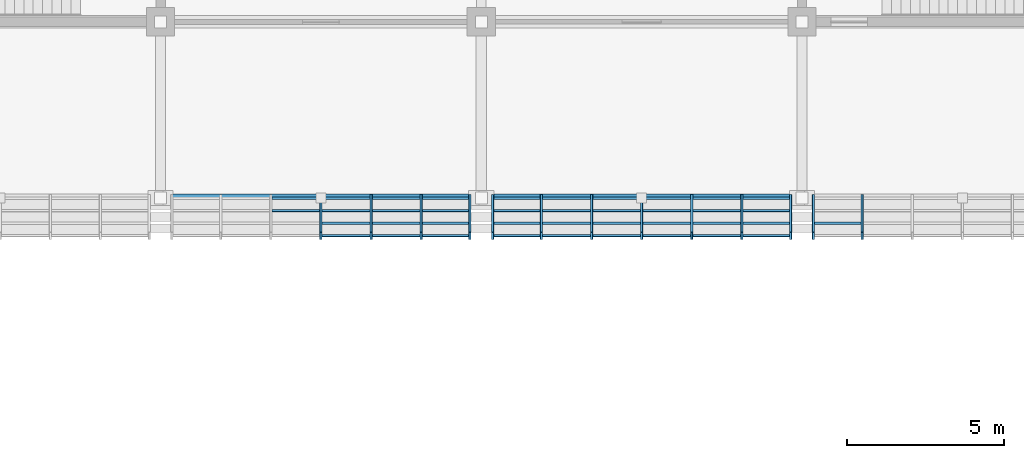
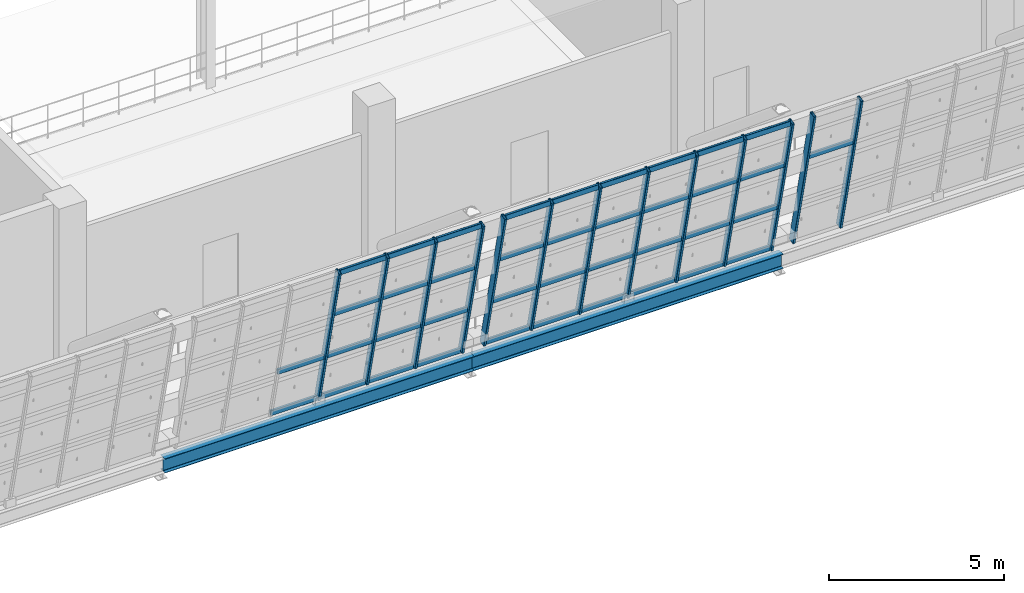
# One storey, part 28 of 175: 52 members, 2 beams, 3 elements without a shape of their own.
"""IFC4 building model written with IfcOpenShell, lengths in metres."""

from ifc_helpers import new_model, si_unit, direction, frame, origin, origin_2d, place, context, subcontext, project, spatial, hollow_rectangle, i_section, extrude, material, material_profile, profile_set, type_object, element, aggregate, save


model = new_model("IFC4")

# Units and contexts
model_context = context("Model", 3, precision=1e-05, world=origin(), true_north=direction((0.0, 1.0)))
body_context = subcontext(model_context, "Body", "Model", "MODEL_VIEW")
ifc_project = project(units=[si_unit("LENGTHUNIT", "METRE"), si_unit("AREAUNIT", "SQUARE_METRE"), si_unit("VOLUMEUNIT", "CUBIC_METRE"), si_unit("PLANEANGLEUNIT", "RADIAN"), si_unit("MASSUNIT", "GRAM", prefix="KILO")], contexts=[model_context])

# Site, building, storey
site_placement = place(None, origin())
site = spatial("IfcSite", under=ifc_project, at=site_placement, CompositionType="ELEMENT")
building_placement = place(site_placement, origin())
building = spatial("IfcBuilding", under=site, at=building_placement, Name="Brelvane Convention Centre", CompositionType="ELEMENT")
storey_placement = place(building_placement, frame((0.0, 0.0, 5.39990234375)))
storey = spatial("IfcBuildingStorey", under=building, at=storey_placement, Name="L01", CompositionType="ELEMENT", Elevation=5.39990234375)

# Curtain wall, members
ifc_material_1 = material(Name="Anodised Aluminium Alloy 6063-T6", Category="aluminium")
curtain_wall_type = type_object("IfcCurtainWallType", Name="Curtain Wall CW-HULL-S", PredefinedType="USERDEFINED", material=ifc_material_1)
curtain_wall_1_placement = place(storey_placement, origin())
curtain_wall_1 = element("IfcCurtainWall", 1, at=curtain_wall_1_placement, inside=storey, type_object=curtain_wall_type, Name="Curtain Wall CW-HULL-S L01-HULL-S-L01-07", ObjectType="UNITISED", PredefinedType="USERDEFINED")
ifc_material_2 = material(Name="Anodised Aluminium Alloy 6063-T6", Category="aluminium")
ifc_material_profile_1 = material_profile(ifc_material_2, hollow_rectangle(XDim=0.080078125, YDim=0.239990234375, WallThickness=0.006103515625, InnerFilletRadius=0.006103515625, OuterFilletRadius=0.011962890625, at=origin_2d()), Name="ALU-M 240x80x6.0")
ifc_profile_set_1 = profile_set([ifc_material_profile_1], Name="Anodised Aluminium Alloy 6063-T6")
member_type_1 = type_object("IfcMemberType", Name="Curtain Mullion CW-M1", PredefinedType="MULLION", material=ifc_profile_set_1)
member_1_placement = place(storey_placement, frame((66.300048828125, 13.60009765625, 0.0), z_axis=(0.0, -0.228360162456, 0.973576723326), x_axis=(1.0, 0.0, 0.0)))
member_1 = element("IfcMember", 2, at=member_1_placement, type_object=member_type_1, Name="CW-HULL-S mullion 4", PredefinedType="MULLION", context=body_context, shape_type="SweptSolid", body=[
    extrude(hollow_rectangle(XDim=0.080078125, YDim=0.239990234375, WallThickness=0.006103515625, InnerFilletRadius=0.006103515625, OuterFilletRadius=0.011962890625, at=origin_2d()), origin(), (0.0, 0.0, 1.0), 5.2900390625),
])
member_2_placement = place(storey_placement, frame((67.893310546875, 13.60009765625, 0.0), z_axis=(0.0, -0.228360162456, 0.973576723326), x_axis=(1.0, 0.0, 0.0)))
member_2 = element("IfcMember", 3, at=member_2_placement, type_object=member_type_1, Name="CW-HULL-S mullion 5", PredefinedType="MULLION", context=body_context, shape_type="SweptSolid", body=[
    extrude(hollow_rectangle(XDim=0.080078125, YDim=0.239990234375, WallThickness=0.006103515625, InnerFilletRadius=0.006103515625, OuterFilletRadius=0.011962890625, at=origin_2d()), origin(), (0.0, 0.0, 1.0), 5.2900390625),
])
member_3_placement = place(storey_placement, frame((69.486572265625, 13.60009765625, 0.0), z_axis=(0.0, -0.228360162456, 0.973576723326), x_axis=(1.0, 0.0, 0.0)))
member_3 = element("IfcMember", 4, at=member_3_placement, type_object=member_type_1, Name="CW-HULL-S mullion 6", PredefinedType="MULLION", context=body_context, shape_type="SweptSolid", body=[
    extrude(hollow_rectangle(XDim=0.080078125, YDim=0.239990234375, WallThickness=0.006103515625, InnerFilletRadius=0.006103515625, OuterFilletRadius=0.011962890625, at=origin_2d()), origin(), (0.0, 0.0, 1.0), 5.2900390625),
])
member_4_placement = place(storey_placement, frame((71.0400390625, 13.60009765625, 0.0), z_axis=(0.0, -0.228360162456, 0.973576723326), x_axis=(1.0, 0.0, 0.0)))
member_4 = element("IfcMember", 5, at=member_4_placement, type_object=member_type_1, Name="CW-HULL-S mullion 7", PredefinedType="MULLION", context=body_context, shape_type="SweptSolid", body=[
    extrude(hollow_rectangle(XDim=0.080078125, YDim=0.239990234375, WallThickness=0.006103515625, InnerFilletRadius=0.006103515625, OuterFilletRadius=0.011962890625, at=origin_2d()), origin(), (0.0, 0.0, 1.0), 5.2900390625),
])

curtain_wall_2_placement = place(storey_placement, origin())
curtain_wall_2 = element("IfcCurtainWall", 6, at=curtain_wall_2_placement, inside=storey, type_object=curtain_wall_type, Name="Curtain Wall CW-HULL-S L01-HULL-S-L01-08", ObjectType="UNITISED", PredefinedType="USERDEFINED")
member_5_placement = place(storey_placement, frame((71.760009765625, 13.60009765625, 0.0), z_axis=(0.0, -0.228360162456, 0.973576723326), x_axis=(1.0, 0.0, 0.0)))
member_5 = element("IfcMember", 7, at=member_5_placement, type_object=member_type_1, Name="CW-HULL-S mullion 1", PredefinedType="MULLION", context=body_context, shape_type="SweptSolid", body=[
    extrude(hollow_rectangle(XDim=0.080078125, YDim=0.239990234375, WallThickness=0.006103515625, InnerFilletRadius=0.006103515625, OuterFilletRadius=0.011962890625, at=origin_2d()), origin(), (0.0, 0.0, 1.0), 5.2900390625),
])
member_6_placement = place(storey_placement, frame((73.313232421875, 13.60009765625, 0.0), z_axis=(0.0, -0.228360162456, 0.973576723326), x_axis=(1.0, 0.0, 0.0)))
member_6 = element("IfcMember", 8, at=member_6_placement, type_object=member_type_1, Name="CW-HULL-S mullion 2", PredefinedType="MULLION", context=body_context, shape_type="SweptSolid", body=[
    extrude(hollow_rectangle(XDim=0.080078125, YDim=0.239990234375, WallThickness=0.006103515625, InnerFilletRadius=0.006103515625, OuterFilletRadius=0.011962890625, at=origin_2d()), origin(), (0.0, 0.0, 1.0), 5.2900390625),
])
member_7_placement = place(storey_placement, frame((74.90673828125, 13.60009765625, 0.0), z_axis=(0.0, -0.228360162456, 0.973576723326), x_axis=(1.0, 0.0, 0.0)))
member_7 = element("IfcMember", 9, at=member_7_placement, type_object=member_type_1, Name="CW-HULL-S mullion 3", PredefinedType="MULLION", context=body_context, shape_type="SweptSolid", body=[
    extrude(hollow_rectangle(XDim=0.080078125, YDim=0.239990234375, WallThickness=0.006103515625, InnerFilletRadius=0.006103515625, OuterFilletRadius=0.011962890625, at=origin_2d()), origin(), (0.0, 0.0, 1.0), 5.2900390625),
])
member_8_placement = place(storey_placement, frame((76.5, 13.60009765625, 0.0), z_axis=(0.0, -0.228360162456, 0.973576723326), x_axis=(1.0, 0.0, 0.0)))
member_8 = element("IfcMember", 10, at=member_8_placement, type_object=member_type_1, Name="CW-HULL-S mullion 4", PredefinedType="MULLION", context=body_context, shape_type="SweptSolid", body=[
    extrude(hollow_rectangle(XDim=0.080078125, YDim=0.239990234375, WallThickness=0.006103515625, InnerFilletRadius=0.006103515625, OuterFilletRadius=0.011962890625, at=origin_2d()), origin(), (0.0, 0.0, 1.0), 5.2900390625),
])
member_9_placement = place(storey_placement, frame((78.09326171875, 13.60009765625, 0.0), z_axis=(0.0, -0.228360162456, 0.973576723326), x_axis=(1.0, 0.0, 0.0)))
member_9 = element("IfcMember", 11, at=member_9_placement, type_object=member_type_1, Name="CW-HULL-S mullion 5", PredefinedType="MULLION", context=body_context, shape_type="SweptSolid", body=[
    extrude(hollow_rectangle(XDim=0.080078125, YDim=0.239990234375, WallThickness=0.006103515625, InnerFilletRadius=0.006103515625, OuterFilletRadius=0.011962890625, at=origin_2d()), origin(), (0.0, 0.0, 1.0), 5.2900390625),
])
member_10_placement = place(storey_placement, frame((79.686767578125, 13.60009765625, 0.0), z_axis=(0.0, -0.228360162456, 0.973576723326), x_axis=(1.0, 0.0, 0.0)))
member_10 = element("IfcMember", 12, at=member_10_placement, type_object=member_type_1, Name="CW-HULL-S mullion 6", PredefinedType="MULLION", context=body_context, shape_type="SweptSolid", body=[
    extrude(hollow_rectangle(XDim=0.080078125, YDim=0.239990234375, WallThickness=0.006103515625, InnerFilletRadius=0.006103515625, OuterFilletRadius=0.011962890625, at=origin_2d()), origin(), (0.0, 0.0, 1.0), 5.2900390625),
])
member_11_placement = place(storey_placement, frame((81.239990234375, 13.60009765625, 0.0), z_axis=(0.0, -0.228360162456, 0.973576723326), x_axis=(1.0, 0.0, 0.0)))
member_11 = element("IfcMember", 13, at=member_11_placement, type_object=member_type_1, Name="CW-HULL-S mullion 7", PredefinedType="MULLION", context=body_context, shape_type="SweptSolid", body=[
    extrude(hollow_rectangle(XDim=0.080078125, YDim=0.239990234375, WallThickness=0.006103515625, InnerFilletRadius=0.006103515625, OuterFilletRadius=0.011962890625, at=origin_2d()), origin(), (0.0, 0.0, 1.0), 5.2900390625),
])

curtain_wall_3_placement = place(storey_placement, origin())
curtain_wall_3 = element("IfcCurtainWall", 14, at=curtain_wall_3_placement, inside=storey, type_object=curtain_wall_type, Name="Curtain Wall CW-HULL-S L01-HULL-S-L01-09", ObjectType="UNITISED", PredefinedType="USERDEFINED")
member_12_placement = place(storey_placement, frame((81.9599609375, 13.60009765625, 0.0), z_axis=(0.0, -0.228360162456, 0.973576723326), x_axis=(1.0, 0.0, 0.0)))
member_12 = element("IfcMember", 15, at=member_12_placement, type_object=member_type_1, Name="CW-HULL-S mullion 1", PredefinedType="MULLION", context=body_context, shape_type="SweptSolid", body=[
    extrude(hollow_rectangle(XDim=0.080078125, YDim=0.239990234375, WallThickness=0.006103515625, InnerFilletRadius=0.006103515625, OuterFilletRadius=0.011962890625, at=origin_2d()), origin(), (0.0, 0.0, 1.0), 5.2900390625),
])
member_13_placement = place(storey_placement, frame((83.513427734375, 13.60009765625, 0.0), z_axis=(0.0, -0.228360162456, 0.973576723326), x_axis=(1.0, 0.0, 0.0)))
member_13 = element("IfcMember", 16, at=member_13_placement, type_object=member_type_1, Name="CW-HULL-S mullion 2", PredefinedType="MULLION", context=body_context, shape_type="SweptSolid", body=[
    extrude(hollow_rectangle(XDim=0.080078125, YDim=0.239990234375, WallThickness=0.006103515625, InnerFilletRadius=0.006103515625, OuterFilletRadius=0.011962890625, at=origin_2d()), origin(), (0.0, 0.0, 1.0), 5.2900390625),
])

# Member
ifc_material_3 = material(Name="Anodised Aluminium Alloy 6063-T6", Category="aluminium")
ifc_material_profile_2 = material_profile(ifc_material_3, hollow_rectangle(XDim=0.080078125, YDim=0.179931640625, WallThickness=0.0048828125, InnerFilletRadius=0.0048828125, OuterFilletRadius=0.010009765625, at=origin_2d()), Name="ALU-T 180x80x5.0")
ifc_profile_set_2 = profile_set([ifc_material_profile_2], Name="Anodised Aluminium Alloy 6063-T6")
member_type_2 = type_object("IfcMemberType", Name="Curtain Transom CW-T1", PredefinedType="USERDEFINED", material=ifc_profile_set_2)
member_14_placement = place(storey_placement, frame((64.74658203125, 13.590576171875, 0.0400390625), z_axis=(1.0, 0.0, 0.0), x_axis=(0.0, 1.0, 0.0)))
member_14 = element("IfcMember", 17, at=member_14_placement, type_object=member_type_2, Name="CW-HULL-S transom 3.1", ObjectType="TRANSOM", PredefinedType="USERDEFINED", context=body_context, shape_type="SweptSolid", body=[
    extrude(hollow_rectangle(XDim=0.080078125, YDim=0.179931640625, WallThickness=0.0048828125, InnerFilletRadius=0.0048828125, OuterFilletRadius=0.010009765625, at=origin_2d()), origin(), (0.0, 0.0, 1.0), 1.513427734375),
])

member_15_placement = place(storey_placement, frame((64.74658203125, 13.197265625, 1.716796875), z_axis=(1.0, 0.0, 0.0), x_axis=(0.0, 1.0, 0.0)))
member_15 = element("IfcMember", 18, at=member_15_placement, type_object=member_type_2, Name="CW-HULL-S transom 3.2", ObjectType="TRANSOM", PredefinedType="USERDEFINED", context=body_context, shape_type="SweptSolid", body=[
    extrude(hollow_rectangle(XDim=0.080078125, YDim=0.179931640625, WallThickness=0.0048828125, InnerFilletRadius=0.0048828125, OuterFilletRadius=0.010009765625, at=origin_2d()), origin(), (0.0, 0.0, 1.0), 1.513427734375),
])

member_16_placement = place(storey_placement, frame((66.340087890625, 13.590576171875, 0.0400390625), z_axis=(1.0, 0.0, 0.0), x_axis=(0.0, 1.0, 0.0)))
member_16 = element("IfcMember", 19, at=member_16_placement, type_object=member_type_2, Name="CW-HULL-S transom 4.1", ObjectType="TRANSOM", PredefinedType="USERDEFINED", context=body_context, shape_type="SweptSolid", body=[
    extrude(hollow_rectangle(XDim=0.080078125, YDim=0.179931640625, WallThickness=0.0048828125, InnerFilletRadius=0.0048828125, OuterFilletRadius=0.010009765625, at=origin_2d()), origin(), (0.0, 0.0, 1.0), 1.51318359375),
])

member_17_placement = place(storey_placement, frame((66.340087890625, 13.197265625, 1.716796875), z_axis=(1.0, 0.0, 0.0), x_axis=(0.0, 1.0, 0.0)))
member_17 = element("IfcMember", 20, at=member_17_placement, type_object=member_type_2, Name="CW-HULL-S transom 4.2", ObjectType="TRANSOM", PredefinedType="USERDEFINED", context=body_context, shape_type="SweptSolid", body=[
    extrude(hollow_rectangle(XDim=0.080078125, YDim=0.179931640625, WallThickness=0.0048828125, InnerFilletRadius=0.0048828125, OuterFilletRadius=0.010009765625, at=origin_2d()), origin(), (0.0, 0.0, 1.0), 1.51318359375),
])

member_18_placement = place(storey_placement, frame((66.340087890625, 12.794677734375, 3.433349609375), z_axis=(1.0, 0.0, 0.0), x_axis=(0.0, 1.0, 0.0)))
member_18 = element("IfcMember", 21, at=member_18_placement, type_object=member_type_2, Name="CW-HULL-S transom 4.3", ObjectType="TRANSOM", PredefinedType="USERDEFINED", context=body_context, shape_type="SweptSolid", body=[
    extrude(hollow_rectangle(XDim=0.080078125, YDim=0.179931640625, WallThickness=0.0048828125, InnerFilletRadius=0.0048828125, OuterFilletRadius=0.010009765625, at=origin_2d()), origin(), (0.0, 0.0, 1.0), 1.51318359375),
])

member_19_placement = place(storey_placement, frame((66.340087890625, 12.4013671875, 5.110107421875), z_axis=(1.0, 0.0, 0.0), x_axis=(0.0, 1.0, 0.0)))
member_19 = element("IfcMember", 22, at=member_19_placement, type_object=member_type_2, Name="CW-HULL-S transom 4.4", ObjectType="TRANSOM", PredefinedType="USERDEFINED", context=body_context, shape_type="SweptSolid", body=[
    extrude(hollow_rectangle(XDim=0.080078125, YDim=0.179931640625, WallThickness=0.0048828125, InnerFilletRadius=0.0048828125, OuterFilletRadius=0.010009765625, at=origin_2d()), origin(), (0.0, 0.0, 1.0), 1.51318359375),
])

member_20_placement = place(storey_placement, frame((67.933349609375, 13.590576171875, 0.0400390625), z_axis=(1.0, 0.0, 0.0), x_axis=(0.0, 1.0, 0.0)))
member_20 = element("IfcMember", 23, at=member_20_placement, type_object=member_type_2, Name="CW-HULL-S transom 5.1", ObjectType="TRANSOM", PredefinedType="USERDEFINED", context=body_context, shape_type="SweptSolid", body=[
    extrude(hollow_rectangle(XDim=0.080078125, YDim=0.179931640625, WallThickness=0.0048828125, InnerFilletRadius=0.0048828125, OuterFilletRadius=0.010009765625, at=origin_2d()), origin(), (0.0, 0.0, 1.0), 1.513427734375),
])

member_21_placement = place(storey_placement, frame((67.933349609375, 13.197265625, 1.716796875), z_axis=(1.0, 0.0, 0.0), x_axis=(0.0, 1.0, 0.0)))
member_21 = element("IfcMember", 24, at=member_21_placement, type_object=member_type_2, Name="CW-HULL-S transom 5.2", ObjectType="TRANSOM", PredefinedType="USERDEFINED", context=body_context, shape_type="SweptSolid", body=[
    extrude(hollow_rectangle(XDim=0.080078125, YDim=0.179931640625, WallThickness=0.0048828125, InnerFilletRadius=0.0048828125, OuterFilletRadius=0.010009765625, at=origin_2d()), origin(), (0.0, 0.0, 1.0), 1.513427734375),
])

member_22_placement = place(storey_placement, frame((67.933349609375, 12.794677734375, 3.433349609375), z_axis=(1.0, 0.0, 0.0), x_axis=(0.0, 1.0, 0.0)))
member_22 = element("IfcMember", 25, at=member_22_placement, type_object=member_type_2, Name="CW-HULL-S transom 5.3", ObjectType="TRANSOM", PredefinedType="USERDEFINED", context=body_context, shape_type="SweptSolid", body=[
    extrude(hollow_rectangle(XDim=0.080078125, YDim=0.179931640625, WallThickness=0.0048828125, InnerFilletRadius=0.0048828125, OuterFilletRadius=0.010009765625, at=origin_2d()), origin(), (0.0, 0.0, 1.0), 1.513427734375),
])

member_23_placement = place(storey_placement, frame((67.933349609375, 12.4013671875, 5.110107421875), z_axis=(1.0, 0.0, 0.0), x_axis=(0.0, 1.0, 0.0)))
member_23 = element("IfcMember", 26, at=member_23_placement, type_object=member_type_2, Name="CW-HULL-S transom 5.4", ObjectType="TRANSOM", PredefinedType="USERDEFINED", context=body_context, shape_type="SweptSolid", body=[
    extrude(hollow_rectangle(XDim=0.080078125, YDim=0.179931640625, WallThickness=0.0048828125, InnerFilletRadius=0.0048828125, OuterFilletRadius=0.010009765625, at=origin_2d()), origin(), (0.0, 0.0, 1.0), 1.513427734375),
])

member_24_placement = place(storey_placement, frame((69.526611328125, 13.590576171875, 0.0400390625), z_axis=(1.0, 0.0, 0.0), x_axis=(0.0, 1.0, 0.0)))
member_24 = element("IfcMember", 27, at=member_24_placement, type_object=member_type_2, Name="CW-HULL-S transom 6.1", ObjectType="TRANSOM", PredefinedType="USERDEFINED", context=body_context, shape_type="SweptSolid", body=[
    extrude(hollow_rectangle(XDim=0.080078125, YDim=0.179931640625, WallThickness=0.0048828125, InnerFilletRadius=0.0048828125, OuterFilletRadius=0.010009765625, at=origin_2d()), origin(), (0.0, 0.0, 1.0), 1.473388671875),
])

member_25_placement = place(storey_placement, frame((69.526611328125, 13.197265625, 1.716796875), z_axis=(1.0, 0.0, 0.0), x_axis=(0.0, 1.0, 0.0)))
member_25 = element("IfcMember", 28, at=member_25_placement, type_object=member_type_2, Name="CW-HULL-S transom 6.2", ObjectType="TRANSOM", PredefinedType="USERDEFINED", context=body_context, shape_type="SweptSolid", body=[
    extrude(hollow_rectangle(XDim=0.080078125, YDim=0.179931640625, WallThickness=0.0048828125, InnerFilletRadius=0.0048828125, OuterFilletRadius=0.010009765625, at=origin_2d()), origin(), (0.0, 0.0, 1.0), 1.473388671875),
])

member_26_placement = place(storey_placement, frame((69.526611328125, 12.794677734375, 3.433349609375), z_axis=(1.0, 0.0, 0.0), x_axis=(0.0, 1.0, 0.0)))
member_26 = element("IfcMember", 29, at=member_26_placement, type_object=member_type_2, Name="CW-HULL-S transom 6.3", ObjectType="TRANSOM", PredefinedType="USERDEFINED", context=body_context, shape_type="SweptSolid", body=[
    extrude(hollow_rectangle(XDim=0.080078125, YDim=0.179931640625, WallThickness=0.0048828125, InnerFilletRadius=0.0048828125, OuterFilletRadius=0.010009765625, at=origin_2d()), origin(), (0.0, 0.0, 1.0), 1.473388671875),
])

member_27_placement = place(storey_placement, frame((69.526611328125, 12.4013671875, 5.110107421875), z_axis=(1.0, 0.0, 0.0), x_axis=(0.0, 1.0, 0.0)))
member_27 = element("IfcMember", 30, at=member_27_placement, type_object=member_type_2, Name="CW-HULL-S transom 6.4", ObjectType="TRANSOM", PredefinedType="USERDEFINED", context=body_context, shape_type="SweptSolid", body=[
    extrude(hollow_rectangle(XDim=0.080078125, YDim=0.179931640625, WallThickness=0.0048828125, InnerFilletRadius=0.0048828125, OuterFilletRadius=0.010009765625, at=origin_2d()), origin(), (0.0, 0.0, 1.0), 1.473388671875),
])

aggregate(curtain_wall_1, [member_1, member_2, member_3, member_4, member_14, member_15, member_16, member_17, member_18, member_19, member_20, member_21, member_22, member_23, member_24, member_25, member_26, member_27])

member_28_placement = place(storey_placement, frame((71.800048828125, 13.590576171875, 0.0400390625), z_axis=(1.0, 0.0, 0.0), x_axis=(0.0, 1.0, 0.0)))
member_28 = element("IfcMember", 31, at=member_28_placement, type_object=member_type_2, Name="CW-HULL-S transom 1.1", ObjectType="TRANSOM", PredefinedType="USERDEFINED", context=body_context, shape_type="SweptSolid", body=[
    extrude(hollow_rectangle(XDim=0.080078125, YDim=0.179931640625, WallThickness=0.0048828125, InnerFilletRadius=0.0048828125, OuterFilletRadius=0.010009765625, at=origin_2d()), origin(), (0.0, 0.0, 1.0), 1.473388671875),
])

member_29_placement = place(storey_placement, frame((71.800048828125, 13.197265625, 1.716796875), z_axis=(1.0, 0.0, 0.0), x_axis=(0.0, 1.0, 0.0)))
member_29 = element("IfcMember", 32, at=member_29_placement, type_object=member_type_2, Name="CW-HULL-S transom 1.2", ObjectType="TRANSOM", PredefinedType="USERDEFINED", context=body_context, shape_type="SweptSolid", body=[
    extrude(hollow_rectangle(XDim=0.080078125, YDim=0.179931640625, WallThickness=0.0048828125, InnerFilletRadius=0.0048828125, OuterFilletRadius=0.010009765625, at=origin_2d()), origin(), (0.0, 0.0, 1.0), 1.473388671875),
])

member_30_placement = place(storey_placement, frame((71.800048828125, 12.794677734375, 3.433349609375), z_axis=(1.0, 0.0, 0.0), x_axis=(0.0, 1.0, 0.0)))
member_30 = element("IfcMember", 33, at=member_30_placement, type_object=member_type_2, Name="CW-HULL-S transom 1.3", ObjectType="TRANSOM", PredefinedType="USERDEFINED", context=body_context, shape_type="SweptSolid", body=[
    extrude(hollow_rectangle(XDim=0.080078125, YDim=0.179931640625, WallThickness=0.0048828125, InnerFilletRadius=0.0048828125, OuterFilletRadius=0.010009765625, at=origin_2d()), origin(), (0.0, 0.0, 1.0), 1.473388671875),
])

member_31_placement = place(storey_placement, frame((71.800048828125, 12.4013671875, 5.110107421875), z_axis=(1.0, 0.0, 0.0), x_axis=(0.0, 1.0, 0.0)))
member_31 = element("IfcMember", 34, at=member_31_placement, type_object=member_type_2, Name="CW-HULL-S transom 1.4", ObjectType="TRANSOM", PredefinedType="USERDEFINED", context=body_context, shape_type="SweptSolid", body=[
    extrude(hollow_rectangle(XDim=0.080078125, YDim=0.179931640625, WallThickness=0.0048828125, InnerFilletRadius=0.0048828125, OuterFilletRadius=0.010009765625, at=origin_2d()), origin(), (0.0, 0.0, 1.0), 1.473388671875),
])

member_32_placement = place(storey_placement, frame((73.353271484375, 13.590576171875, 0.0400390625), z_axis=(1.0, 0.0, 0.0), x_axis=(0.0, 1.0, 0.0)))
member_32 = element("IfcMember", 35, at=member_32_placement, type_object=member_type_2, Name="CW-HULL-S transom 2.1", ObjectType="TRANSOM", PredefinedType="USERDEFINED", context=body_context, shape_type="SweptSolid", body=[
    extrude(hollow_rectangle(XDim=0.080078125, YDim=0.179931640625, WallThickness=0.0048828125, InnerFilletRadius=0.0048828125, OuterFilletRadius=0.010009765625, at=origin_2d()), origin(), (0.0, 0.0, 1.0), 1.513427734375),
])

member_33_placement = place(storey_placement, frame((73.353271484375, 13.197265625, 1.716796875), z_axis=(1.0, 0.0, 0.0), x_axis=(0.0, 1.0, 0.0)))
member_33 = element("IfcMember", 36, at=member_33_placement, type_object=member_type_2, Name="CW-HULL-S transom 2.2", ObjectType="TRANSOM", PredefinedType="USERDEFINED", context=body_context, shape_type="SweptSolid", body=[
    extrude(hollow_rectangle(XDim=0.080078125, YDim=0.179931640625, WallThickness=0.0048828125, InnerFilletRadius=0.0048828125, OuterFilletRadius=0.010009765625, at=origin_2d()), origin(), (0.0, 0.0, 1.0), 1.513427734375),
])

member_34_placement = place(storey_placement, frame((73.353271484375, 12.794677734375, 3.433349609375), z_axis=(1.0, 0.0, 0.0), x_axis=(0.0, 1.0, 0.0)))
member_34 = element("IfcMember", 37, at=member_34_placement, type_object=member_type_2, Name="CW-HULL-S transom 2.3", ObjectType="TRANSOM", PredefinedType="USERDEFINED", context=body_context, shape_type="SweptSolid", body=[
    extrude(hollow_rectangle(XDim=0.080078125, YDim=0.179931640625, WallThickness=0.0048828125, InnerFilletRadius=0.0048828125, OuterFilletRadius=0.010009765625, at=origin_2d()), origin(), (0.0, 0.0, 1.0), 1.513427734375),
])

member_35_placement = place(storey_placement, frame((73.353271484375, 12.4013671875, 5.110107421875), z_axis=(1.0, 0.0, 0.0), x_axis=(0.0, 1.0, 0.0)))
member_35 = element("IfcMember", 38, at=member_35_placement, type_object=member_type_2, Name="CW-HULL-S transom 2.4", ObjectType="TRANSOM", PredefinedType="USERDEFINED", context=body_context, shape_type="SweptSolid", body=[
    extrude(hollow_rectangle(XDim=0.080078125, YDim=0.179931640625, WallThickness=0.0048828125, InnerFilletRadius=0.0048828125, OuterFilletRadius=0.010009765625, at=origin_2d()), origin(), (0.0, 0.0, 1.0), 1.513427734375),
])

member_36_placement = place(storey_placement, frame((74.94677734375, 13.590576171875, 0.0400390625), z_axis=(1.0, 0.0, 0.0), x_axis=(0.0, 1.0, 0.0)))
member_36 = element("IfcMember", 39, at=member_36_placement, type_object=member_type_2, Name="CW-HULL-S transom 3.1", ObjectType="TRANSOM", PredefinedType="USERDEFINED", context=body_context, shape_type="SweptSolid", body=[
    extrude(hollow_rectangle(XDim=0.080078125, YDim=0.179931640625, WallThickness=0.0048828125, InnerFilletRadius=0.0048828125, OuterFilletRadius=0.010009765625, at=origin_2d()), origin(), (0.0, 0.0, 1.0), 1.51318359375),
])

member_37_placement = place(storey_placement, frame((74.94677734375, 13.197265625, 1.716796875), z_axis=(1.0, 0.0, 0.0), x_axis=(0.0, 1.0, 0.0)))
member_37 = element("IfcMember", 40, at=member_37_placement, type_object=member_type_2, Name="CW-HULL-S transom 3.2", ObjectType="TRANSOM", PredefinedType="USERDEFINED", context=body_context, shape_type="SweptSolid", body=[
    extrude(hollow_rectangle(XDim=0.080078125, YDim=0.179931640625, WallThickness=0.0048828125, InnerFilletRadius=0.0048828125, OuterFilletRadius=0.010009765625, at=origin_2d()), origin(), (0.0, 0.0, 1.0), 1.51318359375),
])

member_38_placement = place(storey_placement, frame((74.94677734375, 12.794677734375, 3.433349609375), z_axis=(1.0, 0.0, 0.0), x_axis=(0.0, 1.0, 0.0)))
member_38 = element("IfcMember", 41, at=member_38_placement, type_object=member_type_2, Name="CW-HULL-S transom 3.3", ObjectType="TRANSOM", PredefinedType="USERDEFINED", context=body_context, shape_type="SweptSolid", body=[
    extrude(hollow_rectangle(XDim=0.080078125, YDim=0.179931640625, WallThickness=0.0048828125, InnerFilletRadius=0.0048828125, OuterFilletRadius=0.010009765625, at=origin_2d()), origin(), (0.0, 0.0, 1.0), 1.51318359375),
])

member_39_placement = place(storey_placement, frame((74.94677734375, 12.4013671875, 5.110107421875), z_axis=(1.0, 0.0, 0.0), x_axis=(0.0, 1.0, 0.0)))
member_39 = element("IfcMember", 42, at=member_39_placement, type_object=member_type_2, Name="CW-HULL-S transom 3.4", ObjectType="TRANSOM", PredefinedType="USERDEFINED", context=body_context, shape_type="SweptSolid", body=[
    extrude(hollow_rectangle(XDim=0.080078125, YDim=0.179931640625, WallThickness=0.0048828125, InnerFilletRadius=0.0048828125, OuterFilletRadius=0.010009765625, at=origin_2d()), origin(), (0.0, 0.0, 1.0), 1.51318359375),
])

member_40_placement = place(storey_placement, frame((76.5400390625, 13.590576171875, 0.0400390625), z_axis=(1.0, 0.0, 0.0), x_axis=(0.0, 1.0, 0.0)))
member_40 = element("IfcMember", 43, at=member_40_placement, type_object=member_type_2, Name="CW-HULL-S transom 4.1", ObjectType="TRANSOM", PredefinedType="USERDEFINED", context=body_context, shape_type="SweptSolid", body=[
    extrude(hollow_rectangle(XDim=0.080078125, YDim=0.179931640625, WallThickness=0.0048828125, InnerFilletRadius=0.0048828125, OuterFilletRadius=0.010009765625, at=origin_2d()), origin(), (0.0, 0.0, 1.0), 1.51318359375),
])

member_41_placement = place(storey_placement, frame((76.5400390625, 13.197265625, 1.716796875), z_axis=(1.0, 0.0, 0.0), x_axis=(0.0, 1.0, 0.0)))
member_41 = element("IfcMember", 44, at=member_41_placement, type_object=member_type_2, Name="CW-HULL-S transom 4.2", ObjectType="TRANSOM", PredefinedType="USERDEFINED", context=body_context, shape_type="SweptSolid", body=[
    extrude(hollow_rectangle(XDim=0.080078125, YDim=0.179931640625, WallThickness=0.0048828125, InnerFilletRadius=0.0048828125, OuterFilletRadius=0.010009765625, at=origin_2d()), origin(), (0.0, 0.0, 1.0), 1.51318359375),
])

member_42_placement = place(storey_placement, frame((76.5400390625, 12.794677734375, 3.433349609375), z_axis=(1.0, 0.0, 0.0), x_axis=(0.0, 1.0, 0.0)))
member_42 = element("IfcMember", 45, at=member_42_placement, type_object=member_type_2, Name="CW-HULL-S transom 4.3", ObjectType="TRANSOM", PredefinedType="USERDEFINED", context=body_context, shape_type="SweptSolid", body=[
    extrude(hollow_rectangle(XDim=0.080078125, YDim=0.179931640625, WallThickness=0.0048828125, InnerFilletRadius=0.0048828125, OuterFilletRadius=0.010009765625, at=origin_2d()), origin(), (0.0, 0.0, 1.0), 1.51318359375),
])

member_43_placement = place(storey_placement, frame((76.5400390625, 12.4013671875, 5.110107421875), z_axis=(1.0, 0.0, 0.0), x_axis=(0.0, 1.0, 0.0)))
member_43 = element("IfcMember", 46, at=member_43_placement, type_object=member_type_2, Name="CW-HULL-S transom 4.4", ObjectType="TRANSOM", PredefinedType="USERDEFINED", context=body_context, shape_type="SweptSolid", body=[
    extrude(hollow_rectangle(XDim=0.080078125, YDim=0.179931640625, WallThickness=0.0048828125, InnerFilletRadius=0.0048828125, OuterFilletRadius=0.010009765625, at=origin_2d()), origin(), (0.0, 0.0, 1.0), 1.51318359375),
])

member_44_placement = place(storey_placement, frame((78.13330078125, 13.590576171875, 0.0400390625), z_axis=(1.0, 0.0, 0.0), x_axis=(0.0, 1.0, 0.0)))
member_44 = element("IfcMember", 47, at=member_44_placement, type_object=member_type_2, Name="CW-HULL-S transom 5.1", ObjectType="TRANSOM", PredefinedType="USERDEFINED", context=body_context, shape_type="SweptSolid", body=[
    extrude(hollow_rectangle(XDim=0.080078125, YDim=0.179931640625, WallThickness=0.0048828125, InnerFilletRadius=0.0048828125, OuterFilletRadius=0.010009765625, at=origin_2d()), origin(), (0.0, 0.0, 1.0), 1.513427734375),
])

member_45_placement = place(storey_placement, frame((78.13330078125, 13.197265625, 1.716796875), z_axis=(1.0, 0.0, 0.0), x_axis=(0.0, 1.0, 0.0)))
member_45 = element("IfcMember", 48, at=member_45_placement, type_object=member_type_2, Name="CW-HULL-S transom 5.2", ObjectType="TRANSOM", PredefinedType="USERDEFINED", context=body_context, shape_type="SweptSolid", body=[
    extrude(hollow_rectangle(XDim=0.080078125, YDim=0.179931640625, WallThickness=0.0048828125, InnerFilletRadius=0.0048828125, OuterFilletRadius=0.010009765625, at=origin_2d()), origin(), (0.0, 0.0, 1.0), 1.513427734375),
])

member_46_placement = place(storey_placement, frame((78.13330078125, 12.794677734375, 3.433349609375), z_axis=(1.0, 0.0, 0.0), x_axis=(0.0, 1.0, 0.0)))
member_46 = element("IfcMember", 49, at=member_46_placement, type_object=member_type_2, Name="CW-HULL-S transom 5.3", ObjectType="TRANSOM", PredefinedType="USERDEFINED", context=body_context, shape_type="SweptSolid", body=[
    extrude(hollow_rectangle(XDim=0.080078125, YDim=0.179931640625, WallThickness=0.0048828125, InnerFilletRadius=0.0048828125, OuterFilletRadius=0.010009765625, at=origin_2d()), origin(), (0.0, 0.0, 1.0), 1.513427734375),
])

member_47_placement = place(storey_placement, frame((78.13330078125, 12.4013671875, 5.110107421875), z_axis=(1.0, 0.0, 0.0), x_axis=(0.0, 1.0, 0.0)))
member_47 = element("IfcMember", 50, at=member_47_placement, type_object=member_type_2, Name="CW-HULL-S transom 5.4", ObjectType="TRANSOM", PredefinedType="USERDEFINED", context=body_context, shape_type="SweptSolid", body=[
    extrude(hollow_rectangle(XDim=0.080078125, YDim=0.179931640625, WallThickness=0.0048828125, InnerFilletRadius=0.0048828125, OuterFilletRadius=0.010009765625, at=origin_2d()), origin(), (0.0, 0.0, 1.0), 1.513427734375),
])

member_48_placement = place(storey_placement, frame((79.7265625, 13.590576171875, 0.0400390625), z_axis=(1.0, 0.0, 0.0), x_axis=(0.0, 1.0, 0.0)))
member_48 = element("IfcMember", 51, at=member_48_placement, type_object=member_type_2, Name="CW-HULL-S transom 6.1", ObjectType="TRANSOM", PredefinedType="USERDEFINED", context=body_context, shape_type="SweptSolid", body=[
    extrude(hollow_rectangle(XDim=0.080078125, YDim=0.179931640625, WallThickness=0.0048828125, InnerFilletRadius=0.0048828125, OuterFilletRadius=0.010009765625, at=origin_2d()), origin(), (0.0, 0.0, 1.0), 1.473388671875),
])

member_49_placement = place(storey_placement, frame((79.7265625, 13.197265625, 1.716796875), z_axis=(1.0, 0.0, 0.0), x_axis=(0.0, 1.0, 0.0)))
member_49 = element("IfcMember", 52, at=member_49_placement, type_object=member_type_2, Name="CW-HULL-S transom 6.2", ObjectType="TRANSOM", PredefinedType="USERDEFINED", context=body_context, shape_type="SweptSolid", body=[
    extrude(hollow_rectangle(XDim=0.080078125, YDim=0.179931640625, WallThickness=0.0048828125, InnerFilletRadius=0.0048828125, OuterFilletRadius=0.010009765625, at=origin_2d()), origin(), (0.0, 0.0, 1.0), 1.473388671875),
])

member_50_placement = place(storey_placement, frame((79.7265625, 12.794677734375, 3.433349609375), z_axis=(1.0, 0.0, 0.0), x_axis=(0.0, 1.0, 0.0)))
member_50 = element("IfcMember", 53, at=member_50_placement, type_object=member_type_2, Name="CW-HULL-S transom 6.3", ObjectType="TRANSOM", PredefinedType="USERDEFINED", context=body_context, shape_type="SweptSolid", body=[
    extrude(hollow_rectangle(XDim=0.080078125, YDim=0.179931640625, WallThickness=0.0048828125, InnerFilletRadius=0.0048828125, OuterFilletRadius=0.010009765625, at=origin_2d()), origin(), (0.0, 0.0, 1.0), 1.473388671875),
])

member_51_placement = place(storey_placement, frame((79.7265625, 12.4013671875, 5.110107421875), z_axis=(1.0, 0.0, 0.0), x_axis=(0.0, 1.0, 0.0)))
member_51 = element("IfcMember", 54, at=member_51_placement, type_object=member_type_2, Name="CW-HULL-S transom 6.4", ObjectType="TRANSOM", PredefinedType="USERDEFINED", context=body_context, shape_type="SweptSolid", body=[
    extrude(hollow_rectangle(XDim=0.080078125, YDim=0.179931640625, WallThickness=0.0048828125, InnerFilletRadius=0.0048828125, OuterFilletRadius=0.010009765625, at=origin_2d()), origin(), (0.0, 0.0, 1.0), 1.473388671875),
])

aggregate(curtain_wall_2, [member_5, member_6, member_7, member_8, member_9, member_10, member_11, member_28, member_29, member_30, member_31, member_32, member_33, member_34, member_35, member_36, member_37, member_38, member_39, member_40, member_41, member_42, member_43, member_44, member_45, member_46, member_47, member_48, member_49, member_50, member_51])

member_52_placement = place(storey_placement, frame((82.0, 12.794677734375, 3.433349609375), z_axis=(1.0, 0.0, 0.0), x_axis=(0.0, 1.0, 0.0)))
member_52 = element("IfcMember", 55, at=member_52_placement, type_object=member_type_2, Name="CW-HULL-S transom 1.3", ObjectType="TRANSOM", PredefinedType="USERDEFINED", context=body_context, shape_type="SweptSolid", body=[
    extrude(hollow_rectangle(XDim=0.080078125, YDim=0.179931640625, WallThickness=0.0048828125, InnerFilletRadius=0.0048828125, OuterFilletRadius=0.010009765625, at=origin_2d()), origin(), (0.0, 0.0, 1.0), 1.473388671875),
])

aggregate(curtain_wall_3, [member_12, member_13, member_52])

# Beams
ifc_material_4 = material(Name="Steel E350 (350 MPa)", Category="steel")
ifc_material_profile_3 = material_profile(ifc_material_4, i_section(OverallWidth=0.25, OverallDepth=0.5, WebThickness=0.010009765625, FlangeThickness=0.0146484375, FilletRadius=0.01611328125, at=origin_2d()), Name="ISWB 500")
ifc_profile_set_3 = profile_set([ifc_material_profile_3], Name="Steel E350 (350 MPa)")
beam_type = type_object("IfcBeamType", Name="Steel Spandrel SP-ST1 (ISWB 500)", PredefinedType="SPANDREL", material=ifc_profile_set_3)
beam_1_placement = place(storey_placement, frame((61.199951171875, 13.60009765625, -0.510009765625), z_axis=(1.0, 0.0, 0.0), x_axis=(0.0, 1.0, 0.0)))
element("IfcBeam", 56, at=beam_1_placement, inside=storey, type_object=beam_type, Name="L01 Hull Overhang Edge Spandrel 7", PredefinedType="SPANDREL", context=body_context, shape_type="SweptSolid", body=[
    extrude(i_section(OverallWidth=0.25, OverallDepth=0.5, WebThickness=0.010009765625, FlangeThickness=0.0146484375, FilletRadius=0.01611328125, at=origin_2d()), origin(), (0.0, 0.0, 1.0), 10.199951171875),
])
beam_2_placement = place(storey_placement, frame((71.39990234375, 13.60009765625, -0.510009765625), z_axis=(1.0, 0.0, 0.0), x_axis=(0.0, 1.0, 0.0)))
element("IfcBeam", 57, at=beam_2_placement, inside=storey, type_object=beam_type, Name="L01 Hull Overhang Edge Spandrel 8", PredefinedType="SPANDREL", context=body_context, shape_type="SweptSolid", body=[
    extrude(i_section(OverallWidth=0.25, OverallDepth=0.5, WebThickness=0.010009765625, FlangeThickness=0.0146484375, FilletRadius=0.01611328125, at=origin_2d()), origin(), (0.0, 0.0, 1.0), 10.2001953125),
])

save(model, "model.ifc")
